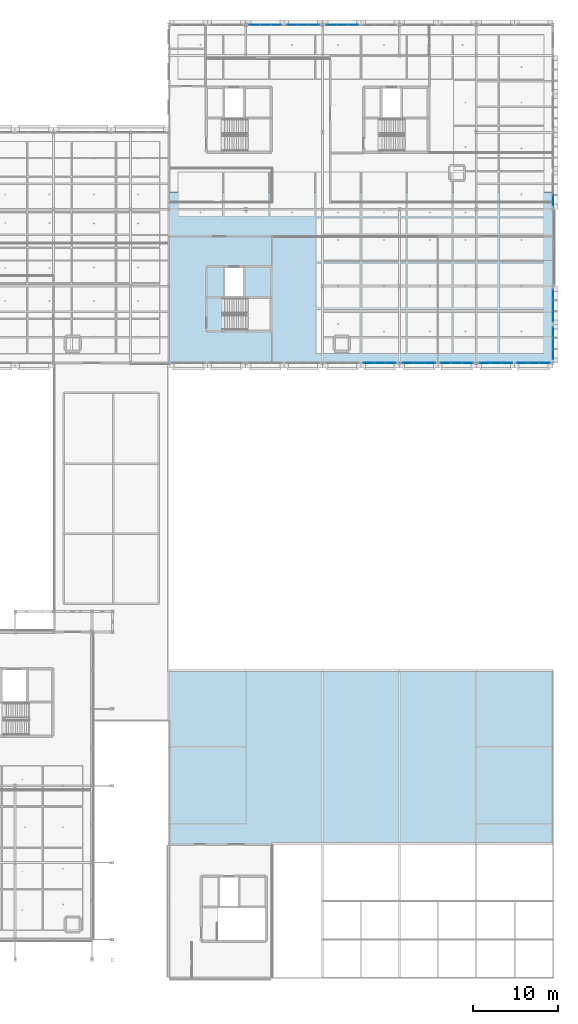
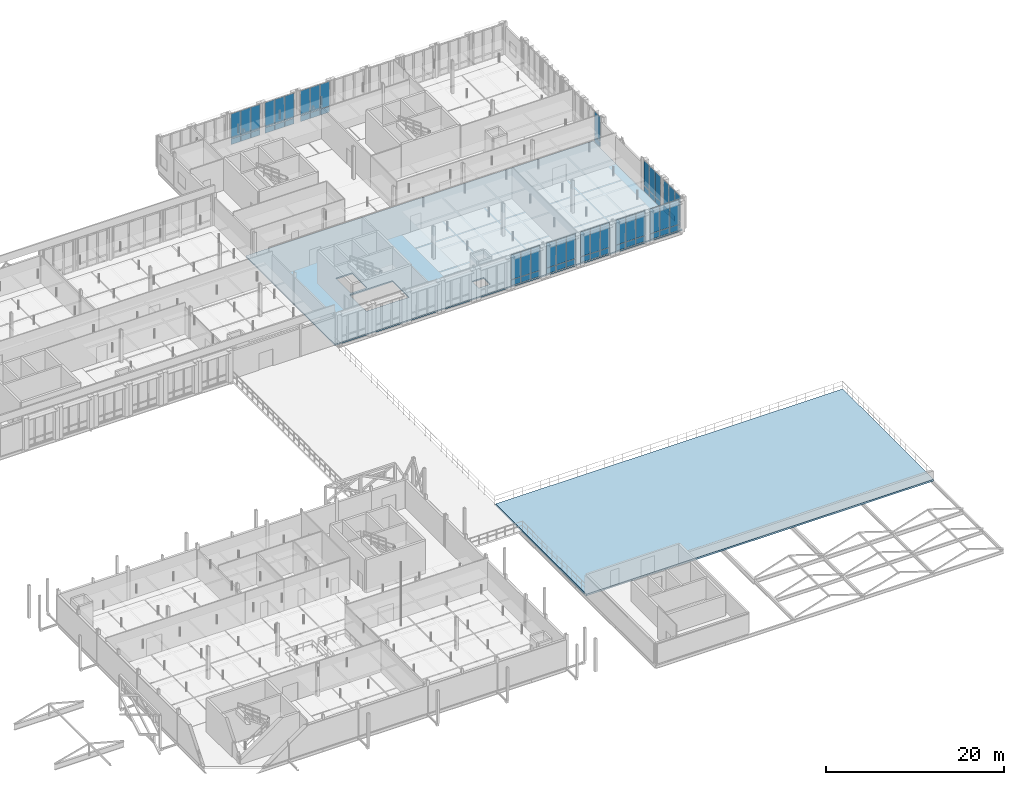
# One storey, part 39 of 89: 62 plates, 2 slabs, 11 elements without a shape of their own.
"""IFC4 building model written with IfcOpenShell, lengths in metres."""

from ifc_helpers import new_model, si_unit, direction, frame, origin, origin_2d, place, context, subcontext, project, spatial, polyline, rectangle, outline, extrude, material, layer, layer_set, type_object, element, aggregate, save


model = new_model("IFC4")

# Units and contexts
model_context = context("Model", 3, precision=1e-05, world=origin(), true_north=direction((0.0, 1.0)))
body_context = subcontext(model_context, "Body", "Model", "MODEL_VIEW")
ifc_project = project(units=[si_unit("LENGTHUNIT", "METRE"), si_unit("AREAUNIT", "SQUARE_METRE"), si_unit("VOLUMEUNIT", "CUBIC_METRE"), si_unit("PLANEANGLEUNIT", "RADIAN"), si_unit("MASSUNIT", "GRAM", prefix="KILO"), si_unit("THERMODYNAMICTEMPERATUREUNIT", "KELVIN"), si_unit("POWERUNIT", "WATT")], contexts=[model_context])

# Site, building, storey
site_placement = place(None, origin())
site = spatial("IfcSite", under=ifc_project, at=site_placement, CompositionType="ELEMENT")
building_placement = place(site_placement, origin())
building = spatial("IfcBuilding", under=site, at=building_placement, Name="Tallowbark Science Centre", CompositionType="ELEMENT")
storey_placement = place(building_placement, frame((0.0, 0.0, 14.39990234375)))
storey = spatial("IfcBuildingStorey", under=building, at=storey_placement, Name="L03", CompositionType="ELEMENT", Elevation=14.39990234375)

# Curtain wall, plates
ifc_material_1 = material(Name="Unitised Thermally Broken Aluminium and Low-E Double Glazing", Category="aluminium")
curtain_wall_type = type_object("IfcCurtainWallType", Name="CW-SYS-FACADE", PredefinedType="NOTDEFINED", material=ifc_material_1)
curtain_wall_1_placement = place(storey_placement, origin())
curtain_wall_1 = element("IfcCurtainWall", 1, at=curtain_wall_1_placement, inside=storey, type_object=curtain_wall_type, Name="Unitised Curtain Wall OBS-N-121A CW-L03-170", PredefinedType="NOTDEFINED")
ifc_material_2 = material(Name="Double Glazed Argon Low-E Vision Glass", Category="glass")
ifc_layer_1 = layer(ifc_material_2, 0.028076171875)
ifc_layer_set_1 = layer_set([ifc_layer_1], Name="Double Glazed Argon Low-E Vision Glass")
plate_type_1 = type_object("IfcPlateType", Name="CWP-GLZ-28", PredefinedType="CURTAIN_PANEL", material=ifc_layer_set_1)
plate_1_placement = place(storey_placement, frame((129.483642578125, 111.60009765625, 0.05517578125), z_axis=(0.0, 0.0, 1.0), x_axis=(-1.0, 0.0, 0.0)))
plate_1 = element("IfcPlate", 2, at=plate_1_placement, type_object=plate_type_1, Name="CW-01 panel 1.1", PredefinedType="CURTAIN_PANEL", context=body_context, shape_type="SweptSolid", body=[
    extrude(rectangle(XDim=1.202392578125, YDim=0.028076171875, at=origin_2d()), origin(), (0.0, 0.0, 1.0), 0.767578125),
])
plate_2_placement = place(storey_placement, frame((129.483642578125, 111.60009765625, 0.87744140625), z_axis=(0.0, 0.0, 1.0), x_axis=(-1.0, 0.0, 0.0)))
plate_2 = element("IfcPlate", 3, at=plate_2_placement, type_object=plate_type_1, Name="CW-01 panel 1.2", PredefinedType="CURTAIN_PANEL", context=body_context, shape_type="SweptSolid", body=[
    extrude(rectangle(XDim=1.202392578125, YDim=0.028076171875, at=origin_2d()), origin(), (0.0, 0.0, 1.0), 3.387451171875),
])
plate_3_placement = place(storey_placement, frame((128.199951171875, 111.60009765625, 0.05517578125), z_axis=(0.0, 0.0, 1.0), x_axis=(-1.0, 0.0, 0.0)))
plate_3 = element("IfcPlate", 4, at=plate_3_placement, type_object=plate_type_1, Name="CW-01 panel 2.1", PredefinedType="CURTAIN_PANEL", context=body_context, shape_type="SweptSolid", body=[
    extrude(rectangle(XDim=1.235107421875, YDim=0.028076171875, at=origin_2d()), origin(), (0.0, 0.0, 1.0), 0.767578125),
])
plate_4_placement = place(storey_placement, frame((128.199951171875, 111.60009765625, 0.87744140625), z_axis=(0.0, 0.0, 1.0), x_axis=(-1.0, 0.0, 0.0)))
plate_4 = element("IfcPlate", 5, at=plate_4_placement, type_object=plate_type_1, Name="CW-01 panel 2.2", PredefinedType="CURTAIN_PANEL", context=body_context, shape_type="SweptSolid", body=[
    extrude(rectangle(XDim=1.235107421875, YDim=0.028076171875, at=origin_2d()), origin(), (0.0, 0.0, 1.0), 3.387451171875),
])
plate_5_placement = place(storey_placement, frame((126.916259765625, 111.60009765625, 0.05517578125), z_axis=(0.0, 0.0, 1.0), x_axis=(-1.0, 0.0, 0.0)))
plate_5 = element("IfcPlate", 6, at=plate_5_placement, type_object=plate_type_1, Name="CW-01 panel 3.1", PredefinedType="CURTAIN_PANEL", context=body_context, shape_type="SweptSolid", body=[
    extrude(rectangle(XDim=1.202392578125, YDim=0.028076171875, at=origin_2d()), origin(), (0.0, 0.0, 1.0), 0.767578125),
])
plate_6_placement = place(storey_placement, frame((126.916259765625, 111.60009765625, 0.87744140625), z_axis=(0.0, 0.0, 1.0), x_axis=(-1.0, 0.0, 0.0)))
plate_6 = element("IfcPlate", 7, at=plate_6_placement, type_object=plate_type_1, Name="CW-01 panel 3.2", PredefinedType="CURTAIN_PANEL", context=body_context, shape_type="SweptSolid", body=[
    extrude(rectangle(XDim=1.202392578125, YDim=0.028076171875, at=origin_2d()), origin(), (0.0, 0.0, 1.0), 3.387451171875),
])
aggregate(curtain_wall_1, [plate_1, plate_2, plate_3, plate_4, plate_5, plate_6])

curtain_wall_2_placement = place(storey_placement, origin())
curtain_wall_2 = element("IfcCurtainWall", 8, at=curtain_wall_2_placement, inside=storey, type_object=curtain_wall_type, Name="Unitised Curtain Wall OBS-S-130B CW-L03-173", PredefinedType="NOTDEFINED")
plate_7_placement = place(storey_placement, frame((135.916259765625, 72.0, 0.05517578125), z_axis=(0.0, 0.0, 1.0), x_axis=(1.0, 0.0, 0.0)))
plate_7 = element("IfcPlate", 9, at=plate_7_placement, type_object=plate_type_1, Name="CW-01 panel 1.1", PredefinedType="CURTAIN_PANEL", context=body_context, shape_type="SweptSolid", body=[
    extrude(rectangle(XDim=1.202392578125, YDim=0.028076171875, at=origin_2d()), origin(), (0.0, 0.0, 1.0), 0.767578125),
])
plate_8_placement = place(storey_placement, frame((135.916259765625, 72.0, 0.87744140625), z_axis=(0.0, 0.0, 1.0), x_axis=(1.0, 0.0, 0.0)))
plate_8 = element("IfcPlate", 10, at=plate_8_placement, type_object=plate_type_1, Name="CW-01 panel 1.2", PredefinedType="CURTAIN_PANEL", context=body_context, shape_type="SweptSolid", body=[
    extrude(rectangle(XDim=1.202392578125, YDim=0.028076171875, at=origin_2d()), origin(), (0.0, 0.0, 1.0), 3.387451171875),
])
plate_9_placement = place(storey_placement, frame((137.199951171875, 72.0, 0.05517578125), z_axis=(0.0, 0.0, 1.0), x_axis=(1.0, 0.0, 0.0)))
plate_9 = element("IfcPlate", 11, at=plate_9_placement, type_object=plate_type_1, Name="CW-01 panel 2.1", PredefinedType="CURTAIN_PANEL", context=body_context, shape_type="SweptSolid", body=[
    extrude(rectangle(XDim=1.235107421875, YDim=0.028076171875, at=origin_2d()), origin(), (0.0, 0.0, 1.0), 0.767578125),
])
plate_10_placement = place(storey_placement, frame((137.199951171875, 72.0, 0.87744140625), z_axis=(0.0, 0.0, 1.0), x_axis=(1.0, 0.0, 0.0)))
plate_10 = element("IfcPlate", 12, at=plate_10_placement, type_object=plate_type_1, Name="CW-01 panel 2.2", PredefinedType="CURTAIN_PANEL", context=body_context, shape_type="SweptSolid", body=[
    extrude(rectangle(XDim=1.235107421875, YDim=0.028076171875, at=origin_2d()), origin(), (0.0, 0.0, 1.0), 3.387451171875),
])
plate_11_placement = place(storey_placement, frame((138.483642578125, 72.0, 0.05517578125), z_axis=(0.0, 0.0, 1.0), x_axis=(1.0, 0.0, 0.0)))
plate_11 = element("IfcPlate", 13, at=plate_11_placement, type_object=plate_type_1, Name="CW-01 panel 3.1", PredefinedType="CURTAIN_PANEL", context=body_context, shape_type="SweptSolid", body=[
    extrude(rectangle(XDim=1.202392578125, YDim=0.028076171875, at=origin_2d()), origin(), (0.0, 0.0, 1.0), 0.767578125),
])
plate_12_placement = place(storey_placement, frame((138.483642578125, 72.0, 0.87744140625), z_axis=(0.0, 0.0, 1.0), x_axis=(1.0, 0.0, 0.0)))
plate_12 = element("IfcPlate", 14, at=plate_12_placement, type_object=plate_type_1, Name="CW-01 panel 3.2", PredefinedType="CURTAIN_PANEL", context=body_context, shape_type="SweptSolid", body=[
    extrude(rectangle(XDim=1.202392578125, YDim=0.028076171875, at=origin_2d()), origin(), (0.0, 0.0, 1.0), 3.387451171875),
])
aggregate(curtain_wall_2, [plate_7, plate_8, plate_9, plate_10, plate_11, plate_12])

curtain_wall_3_placement = place(storey_placement, origin())
curtain_wall_3 = element("IfcCurtainWall", 15, at=curtain_wall_3_placement, inside=storey, type_object=curtain_wall_type, Name="Unitised Curtain Wall OBS-N-130B CW-L03-175", PredefinedType="NOTDEFINED")
plate_13_placement = place(storey_placement, frame((134.083740234375, 111.60009765625, 0.05517578125), z_axis=(0.0, 0.0, 1.0), x_axis=(-1.0, 0.0, 0.0)))
plate_13 = element("IfcPlate", 16, at=plate_13_placement, type_object=plate_type_1, Name="CW-01 panel 1.1", PredefinedType="CURTAIN_PANEL", context=body_context, shape_type="SweptSolid", body=[
    extrude(rectangle(XDim=1.202392578125, YDim=0.028076171875, at=origin_2d()), origin(), (0.0, 0.0, 1.0), 0.767578125),
])
plate_14_placement = place(storey_placement, frame((134.083740234375, 111.60009765625, 0.87744140625), z_axis=(0.0, 0.0, 1.0), x_axis=(-1.0, 0.0, 0.0)))
plate_14 = element("IfcPlate", 17, at=plate_14_placement, type_object=plate_type_1, Name="CW-01 panel 1.2", PredefinedType="CURTAIN_PANEL", context=body_context, shape_type="SweptSolid", body=[
    extrude(rectangle(XDim=1.202392578125, YDim=0.028076171875, at=origin_2d()), origin(), (0.0, 0.0, 1.0), 3.387451171875),
])
plate_15_placement = place(storey_placement, frame((132.800048828125, 111.60009765625, 0.05517578125), z_axis=(0.0, 0.0, 1.0), x_axis=(-1.0, 0.0, 0.0)))
plate_15 = element("IfcPlate", 18, at=plate_15_placement, type_object=plate_type_1, Name="CW-01 panel 2.1", PredefinedType="CURTAIN_PANEL", context=body_context, shape_type="SweptSolid", body=[
    extrude(rectangle(XDim=1.235107421875, YDim=0.028076171875, at=origin_2d()), origin(), (0.0, 0.0, 1.0), 0.767578125),
])
plate_16_placement = place(storey_placement, frame((132.800048828125, 111.60009765625, 0.87744140625), z_axis=(0.0, 0.0, 1.0), x_axis=(-1.0, 0.0, 0.0)))
plate_16 = element("IfcPlate", 19, at=plate_16_placement, type_object=plate_type_1, Name="CW-01 panel 2.2", PredefinedType="CURTAIN_PANEL", context=body_context, shape_type="SweptSolid", body=[
    extrude(rectangle(XDim=1.235107421875, YDim=0.028076171875, at=origin_2d()), origin(), (0.0, 0.0, 1.0), 3.387451171875),
])
plate_17_placement = place(storey_placement, frame((131.516357421875, 111.60009765625, 0.05517578125), z_axis=(0.0, 0.0, 1.0), x_axis=(-1.0, 0.0, 0.0)))
plate_17 = element("IfcPlate", 20, at=plate_17_placement, type_object=plate_type_1, Name="CW-01 panel 3.1", PredefinedType="CURTAIN_PANEL", context=body_context, shape_type="SweptSolid", body=[
    extrude(rectangle(XDim=1.202392578125, YDim=0.028076171875, at=origin_2d()), origin(), (0.0, 0.0, 1.0), 0.767578125),
])
plate_18_placement = place(storey_placement, frame((131.516357421875, 111.60009765625, 0.87744140625), z_axis=(0.0, 0.0, 1.0), x_axis=(-1.0, 0.0, 0.0)))
plate_18 = element("IfcPlate", 21, at=plate_18_placement, type_object=plate_type_1, Name="CW-01 panel 3.2", PredefinedType="CURTAIN_PANEL", context=body_context, shape_type="SweptSolid", body=[
    extrude(rectangle(XDim=1.202392578125, YDim=0.028076171875, at=origin_2d()), origin(), (0.0, 0.0, 1.0), 3.387451171875),
])
aggregate(curtain_wall_3, [plate_13, plate_14, plate_15, plate_16, plate_17, plate_18])

curtain_wall_4_placement = place(storey_placement, origin())
curtain_wall_4 = element("IfcCurtainWall", 22, at=curtain_wall_4_placement, inside=storey, type_object=curtain_wall_type, Name="Unitised Curtain Wall OBS-S-139A CW-L03-176", PredefinedType="NOTDEFINED")
plate_19_placement = place(storey_placement, frame((140.516357421875, 72.0, 0.05517578125), z_axis=(0.0, 0.0, 1.0), x_axis=(1.0, 0.0, 0.0)))
plate_19 = element("IfcPlate", 23, at=plate_19_placement, type_object=plate_type_1, Name="CW-01 panel 1.1", PredefinedType="CURTAIN_PANEL", context=body_context, shape_type="SweptSolid", body=[
    extrude(rectangle(XDim=1.202392578125, YDim=0.028076171875, at=origin_2d()), origin(), (0.0, 0.0, 1.0), 0.767578125),
])
plate_20_placement = place(storey_placement, frame((140.516357421875, 72.0, 0.87744140625), z_axis=(0.0, 0.0, 1.0), x_axis=(1.0, 0.0, 0.0)))
plate_20 = element("IfcPlate", 24, at=plate_20_placement, type_object=plate_type_1, Name="CW-01 panel 1.2", PredefinedType="CURTAIN_PANEL", context=body_context, shape_type="SweptSolid", body=[
    extrude(rectangle(XDim=1.202392578125, YDim=0.028076171875, at=origin_2d()), origin(), (0.0, 0.0, 1.0), 3.387451171875),
])
plate_21_placement = place(storey_placement, frame((141.800048828125, 72.0, 0.05517578125), z_axis=(0.0, 0.0, 1.0), x_axis=(1.0, 0.0, 0.0)))
plate_21 = element("IfcPlate", 25, at=plate_21_placement, type_object=plate_type_1, Name="CW-01 panel 2.1", PredefinedType="CURTAIN_PANEL", context=body_context, shape_type="SweptSolid", body=[
    extrude(rectangle(XDim=1.235107421875, YDim=0.028076171875, at=origin_2d()), origin(), (0.0, 0.0, 1.0), 0.767578125),
])
plate_22_placement = place(storey_placement, frame((141.800048828125, 72.0, 0.87744140625), z_axis=(0.0, 0.0, 1.0), x_axis=(1.0, 0.0, 0.0)))
plate_22 = element("IfcPlate", 26, at=plate_22_placement, type_object=plate_type_1, Name="CW-01 panel 2.2", PredefinedType="CURTAIN_PANEL", context=body_context, shape_type="SweptSolid", body=[
    extrude(rectangle(XDim=1.235107421875, YDim=0.028076171875, at=origin_2d()), origin(), (0.0, 0.0, 1.0), 3.387451171875),
])
plate_23_placement = place(storey_placement, frame((143.083740234375, 72.0, 0.05517578125), z_axis=(0.0, 0.0, 1.0), x_axis=(1.0, 0.0, 0.0)))
plate_23 = element("IfcPlate", 27, at=plate_23_placement, type_object=plate_type_1, Name="CW-01 panel 3.1", PredefinedType="CURTAIN_PANEL", context=body_context, shape_type="SweptSolid", body=[
    extrude(rectangle(XDim=1.202392578125, YDim=0.028076171875, at=origin_2d()), origin(), (0.0, 0.0, 1.0), 0.767578125),
])
plate_24_placement = place(storey_placement, frame((143.083740234375, 72.0, 0.87744140625), z_axis=(0.0, 0.0, 1.0), x_axis=(1.0, 0.0, 0.0)))
plate_24 = element("IfcPlate", 28, at=plate_24_placement, type_object=plate_type_1, Name="CW-01 panel 3.2", PredefinedType="CURTAIN_PANEL", context=body_context, shape_type="SweptSolid", body=[
    extrude(rectangle(XDim=1.202392578125, YDim=0.028076171875, at=origin_2d()), origin(), (0.0, 0.0, 1.0), 3.387451171875),
])
aggregate(curtain_wall_4, [plate_19, plate_20, plate_21, plate_22, plate_23, plate_24])

curtain_wall_5_placement = place(storey_placement, origin())
curtain_wall_5 = element("IfcCurtainWall", 29, at=curtain_wall_5_placement, inside=storey, type_object=curtain_wall_type, Name="Unitised Curtain Wall OBS-S-148B CW-L03-181", PredefinedType="NOTDEFINED")
plate_25_placement = place(storey_placement, frame((153.916259765625, 72.0, 0.05517578125), z_axis=(0.0, 0.0, 1.0), x_axis=(1.0, 0.0, 0.0)))
plate_25 = element("IfcPlate", 30, at=plate_25_placement, type_object=plate_type_1, Name="CW-01 panel 1.1", PredefinedType="CURTAIN_PANEL", context=body_context, shape_type="SweptSolid", body=[
    extrude(rectangle(XDim=1.202392578125, YDim=0.028076171875, at=origin_2d()), origin(), (0.0, 0.0, 1.0), 0.767578125),
])
plate_26_placement = place(storey_placement, frame((153.916259765625, 72.0, 0.87744140625), z_axis=(0.0, 0.0, 1.0), x_axis=(1.0, 0.0, 0.0)))
plate_26 = element("IfcPlate", 31, at=plate_26_placement, type_object=plate_type_1, Name="CW-01 panel 1.2", PredefinedType="CURTAIN_PANEL", context=body_context, shape_type="SweptSolid", body=[
    extrude(rectangle(XDim=1.202392578125, YDim=0.028076171875, at=origin_2d()), origin(), (0.0, 0.0, 1.0), 3.387451171875),
])
plate_27_placement = place(storey_placement, frame((155.199951171875, 72.0, 0.05517578125), z_axis=(0.0, 0.0, 1.0), x_axis=(1.0, 0.0, 0.0)))
plate_27 = element("IfcPlate", 32, at=plate_27_placement, type_object=plate_type_1, Name="CW-01 panel 2.1", PredefinedType="CURTAIN_PANEL", context=body_context, shape_type="SweptSolid", body=[
    extrude(rectangle(XDim=1.235107421875, YDim=0.028076171875, at=origin_2d()), origin(), (0.0, 0.0, 1.0), 0.767578125),
])
plate_28_placement = place(storey_placement, frame((155.199951171875, 72.0, 0.87744140625), z_axis=(0.0, 0.0, 1.0), x_axis=(1.0, 0.0, 0.0)))
plate_28 = element("IfcPlate", 33, at=plate_28_placement, type_object=plate_type_1, Name="CW-01 panel 2.2", PredefinedType="CURTAIN_PANEL", context=body_context, shape_type="SweptSolid", body=[
    extrude(rectangle(XDim=1.235107421875, YDim=0.028076171875, at=origin_2d()), origin(), (0.0, 0.0, 1.0), 3.387451171875),
])
plate_29_placement = place(storey_placement, frame((156.483642578125, 72.0, 0.05517578125), z_axis=(0.0, 0.0, 1.0), x_axis=(1.0, 0.0, 0.0)))
plate_29 = element("IfcPlate", 34, at=plate_29_placement, type_object=plate_type_1, Name="CW-01 panel 3.1", PredefinedType="CURTAIN_PANEL", context=body_context, shape_type="SweptSolid", body=[
    extrude(rectangle(XDim=1.202392578125, YDim=0.028076171875, at=origin_2d()), origin(), (0.0, 0.0, 1.0), 0.767578125),
])
plate_30_placement = place(storey_placement, frame((156.483642578125, 72.0, 0.87744140625), z_axis=(0.0, 0.0, 1.0), x_axis=(1.0, 0.0, 0.0)))
plate_30 = element("IfcPlate", 35, at=plate_30_placement, type_object=plate_type_1, Name="CW-01 panel 3.2", PredefinedType="CURTAIN_PANEL", context=body_context, shape_type="SweptSolid", body=[
    extrude(rectangle(XDim=1.202392578125, YDim=0.028076171875, at=origin_2d()), origin(), (0.0, 0.0, 1.0), 3.387451171875),
])
aggregate(curtain_wall_5, [plate_25, plate_26, plate_27, plate_28, plate_29, plate_30])

curtain_wall_6_placement = place(storey_placement, origin())
curtain_wall_6 = element("IfcCurtainWall", 36, at=curtain_wall_6_placement, inside=storey, type_object=curtain_wall_type, Name="Unitised Curtain Wall OBS-E-72A CW-L03-184", PredefinedType="NOTDEFINED")
plate_31_placement = place(storey_placement, frame((157.5, 73.016357421875, 0.05517578125), z_axis=(0.0, 0.0, 1.0), x_axis=(0.0, 1.0, 0.0)))
plate_31 = element("IfcPlate", 37, at=plate_31_placement, type_object=plate_type_1, Name="CW-01 panel 1.1", PredefinedType="CURTAIN_PANEL", context=body_context, shape_type="SweptSolid", body=[
    extrude(rectangle(XDim=1.202392578125, YDim=0.028076171875, at=origin_2d()), origin(), (0.0, 0.0, 1.0), 0.767578125),
])
plate_32_placement = place(storey_placement, frame((157.5, 73.016357421875, 0.87744140625), z_axis=(0.0, 0.0, 1.0), x_axis=(0.0, 1.0, 0.0)))
plate_32 = element("IfcPlate", 38, at=plate_32_placement, type_object=plate_type_1, Name="CW-01 panel 1.2", PredefinedType="CURTAIN_PANEL", context=body_context, shape_type="SweptSolid", body=[
    extrude(rectangle(XDim=1.202392578125, YDim=0.028076171875, at=origin_2d()), origin(), (0.0, 0.0, 1.0), 3.387451171875),
])
plate_33_placement = place(storey_placement, frame((157.5, 74.300048828125, 0.05517578125), z_axis=(0.0, 0.0, 1.0), x_axis=(0.0, 1.0, 0.0)))
plate_33 = element("IfcPlate", 39, at=plate_33_placement, type_object=plate_type_1, Name="CW-01 panel 2.1", PredefinedType="CURTAIN_PANEL", context=body_context, shape_type="SweptSolid", body=[
    extrude(rectangle(XDim=1.235107421875, YDim=0.028076171875, at=origin_2d()), origin(), (0.0, 0.0, 1.0), 0.767578125),
])
plate_34_placement = place(storey_placement, frame((157.5, 74.300048828125, 0.87744140625), z_axis=(0.0, 0.0, 1.0), x_axis=(0.0, 1.0, 0.0)))
plate_34 = element("IfcPlate", 40, at=plate_34_placement, type_object=plate_type_1, Name="CW-01 panel 2.2", PredefinedType="CURTAIN_PANEL", context=body_context, shape_type="SweptSolid", body=[
    extrude(rectangle(XDim=1.235107421875, YDim=0.028076171875, at=origin_2d()), origin(), (0.0, 0.0, 1.0), 3.387451171875),
])
plate_35_placement = place(storey_placement, frame((157.5, 75.583740234375, 0.05517578125), z_axis=(0.0, 0.0, 1.0), x_axis=(0.0, 1.0, 0.0)))
plate_35 = element("IfcPlate", 41, at=plate_35_placement, type_object=plate_type_1, Name="CW-01 panel 3.1", PredefinedType="CURTAIN_PANEL", context=body_context, shape_type="SweptSolid", body=[
    extrude(rectangle(XDim=1.202392578125, YDim=0.028076171875, at=origin_2d()), origin(), (0.0, 0.0, 1.0), 0.767578125),
])
plate_36_placement = place(storey_placement, frame((157.5, 75.583740234375, 0.87744140625), z_axis=(0.0, 0.0, 1.0), x_axis=(0.0, 1.0, 0.0)))
plate_36 = element("IfcPlate", 42, at=plate_36_placement, type_object=plate_type_1, Name="CW-01 panel 3.2", PredefinedType="CURTAIN_PANEL", context=body_context, shape_type="SweptSolid", body=[
    extrude(rectangle(XDim=1.202392578125, YDim=0.028076171875, at=origin_2d()), origin(), (0.0, 0.0, 1.0), 3.387451171875),
])
aggregate(curtain_wall_6, [plate_31, plate_32, plate_33, plate_34, plate_35, plate_36])

curtain_wall_7_placement = place(storey_placement, origin())
curtain_wall_7 = element("IfcCurtainWall", 43, at=curtain_wall_7_placement, inside=storey, type_object=curtain_wall_type, Name="Unitised Curtain Wall OBS-E-72B CW-L03-185", PredefinedType="NOTDEFINED")
plate_37_placement = place(storey_placement, frame((157.5, 77.416259765625, 0.05517578125), z_axis=(0.0, 0.0, 1.0), x_axis=(0.0, 1.0, 0.0)))
plate_37 = element("IfcPlate", 44, at=plate_37_placement, type_object=plate_type_1, Name="CW-01 panel 1.1", PredefinedType="CURTAIN_PANEL", context=body_context, shape_type="SweptSolid", body=[
    extrude(rectangle(XDim=1.202392578125, YDim=0.028076171875, at=origin_2d()), origin(), (0.0, 0.0, 1.0), 0.767578125),
])
plate_38_placement = place(storey_placement, frame((157.5, 77.416259765625, 0.87744140625), z_axis=(0.0, 0.0, 1.0), x_axis=(0.0, 1.0, 0.0)))
plate_38 = element("IfcPlate", 45, at=plate_38_placement, type_object=plate_type_1, Name="CW-01 panel 1.2", PredefinedType="CURTAIN_PANEL", context=body_context, shape_type="SweptSolid", body=[
    extrude(rectangle(XDim=1.202392578125, YDim=0.028076171875, at=origin_2d()), origin(), (0.0, 0.0, 1.0), 3.387451171875),
])
plate_39_placement = place(storey_placement, frame((157.5, 78.699951171875, 0.05517578125), z_axis=(0.0, 0.0, 1.0), x_axis=(0.0, 1.0, 0.0)))
plate_39 = element("IfcPlate", 46, at=plate_39_placement, type_object=plate_type_1, Name="CW-01 panel 2.1", PredefinedType="CURTAIN_PANEL", context=body_context, shape_type="SweptSolid", body=[
    extrude(rectangle(XDim=1.235107421875, YDim=0.028076171875, at=origin_2d()), origin(), (0.0, 0.0, 1.0), 0.767578125),
])
plate_40_placement = place(storey_placement, frame((157.5, 78.699951171875, 0.87744140625), z_axis=(0.0, 0.0, 1.0), x_axis=(0.0, 1.0, 0.0)))
plate_40 = element("IfcPlate", 47, at=plate_40_placement, type_object=plate_type_1, Name="CW-01 panel 2.2", PredefinedType="CURTAIN_PANEL", context=body_context, shape_type="SweptSolid", body=[
    extrude(rectangle(XDim=1.235107421875, YDim=0.028076171875, at=origin_2d()), origin(), (0.0, 0.0, 1.0), 3.387451171875),
])
plate_41_placement = place(storey_placement, frame((157.5, 79.983642578125, 0.05517578125), z_axis=(0.0, 0.0, 1.0), x_axis=(0.0, 1.0, 0.0)))
plate_41 = element("IfcPlate", 48, at=plate_41_placement, type_object=plate_type_1, Name="CW-01 panel 3.1", PredefinedType="CURTAIN_PANEL", context=body_context, shape_type="SweptSolid", body=[
    extrude(rectangle(XDim=1.202392578125, YDim=0.028076171875, at=origin_2d()), origin(), (0.0, 0.0, 1.0), 0.767578125),
])
plate_42_placement = place(storey_placement, frame((157.5, 79.983642578125, 0.87744140625), z_axis=(0.0, 0.0, 1.0), x_axis=(0.0, 1.0, 0.0)))
plate_42 = element("IfcPlate", 49, at=plate_42_placement, type_object=plate_type_1, Name="CW-01 panel 3.2", PredefinedType="CURTAIN_PANEL", context=body_context, shape_type="SweptSolid", body=[
    extrude(rectangle(XDim=1.202392578125, YDim=0.028076171875, at=origin_2d()), origin(), (0.0, 0.0, 1.0), 3.387451171875),
])
aggregate(curtain_wall_7, [plate_37, plate_38, plate_39, plate_40, plate_41, plate_42])

curtain_wall_8_placement = place(storey_placement, origin())
curtain_wall_8 = element("IfcCurtainWall", 50, at=curtain_wall_8_placement, inside=storey, type_object=curtain_wall_type, Name="Unitised Curtain Wall OBS-N-121B CW-L03-171", PredefinedType="NOTDEFINED")
ifc_material_3 = material(Name="Ceramic-Fritted Insulated Glass Spandrel Panel", Category="glass")
ifc_layer_2 = layer(ifc_material_3, 0.031982421875)
ifc_layer_set_2 = layer_set([ifc_layer_2], Name="Ceramic-Fritted Insulated Glass Spandrel Panel")
plate_type_2 = type_object("IfcPlateType", Name="CWP-SPN-32", PredefinedType="CURTAIN_PANEL", material=ifc_layer_set_2)
plate_43_placement = place(storey_placement, frame((125.083740234375, 111.60009765625, 0.05517578125), z_axis=(0.0, 0.0, 1.0), x_axis=(-1.0, 0.0, 0.0)))
plate_43 = element("IfcPlate", 51, at=plate_43_placement, type_object=plate_type_2, Name="CW-01 panel 1.1", PredefinedType="CURTAIN_PANEL", context=body_context, shape_type="SweptSolid", body=[
    extrude(rectangle(XDim=1.202392578125, YDim=0.031982421875, at=origin_2d()), origin(), (0.0, 0.0, 1.0), 0.767578125),
])
plate_44_placement = place(storey_placement, frame((125.083740234375, 111.60009765625, 0.87744140625), z_axis=(0.0, 0.0, 1.0), x_axis=(-1.0, 0.0, 0.0)))
plate_44 = element("IfcPlate", 52, at=plate_44_placement, type_object=plate_type_2, Name="CW-01 panel 1.2", PredefinedType="CURTAIN_PANEL", context=body_context, shape_type="SweptSolid", body=[
    extrude(rectangle(XDim=1.202392578125, YDim=0.031982421875, at=origin_2d()), origin(), (0.0, 0.0, 1.0), 3.387451171875),
])
plate_45_placement = place(storey_placement, frame((123.800048828125, 111.60009765625, 0.05517578125), z_axis=(0.0, 0.0, 1.0), x_axis=(-1.0, 0.0, 0.0)))
plate_45 = element("IfcPlate", 53, at=plate_45_placement, type_object=plate_type_2, Name="CW-01 panel 2.1", PredefinedType="CURTAIN_PANEL", context=body_context, shape_type="SweptSolid", body=[
    extrude(rectangle(XDim=1.235107421875, YDim=0.031982421875, at=origin_2d()), origin(), (0.0, 0.0, 1.0), 0.767578125),
])
plate_46_placement = place(storey_placement, frame((123.800048828125, 111.60009765625, 0.87744140625), z_axis=(0.0, 0.0, 1.0), x_axis=(-1.0, 0.0, 0.0)))
plate_46 = element("IfcPlate", 54, at=plate_46_placement, type_object=plate_type_2, Name="CW-01 panel 2.2", PredefinedType="CURTAIN_PANEL", context=body_context, shape_type="SweptSolid", body=[
    extrude(rectangle(XDim=1.235107421875, YDim=0.031982421875, at=origin_2d()), origin(), (0.0, 0.0, 1.0), 3.387451171875),
])
plate_47_placement = place(storey_placement, frame((122.516357421875, 111.60009765625, 0.05517578125), z_axis=(0.0, 0.0, 1.0), x_axis=(-1.0, 0.0, 0.0)))
plate_47 = element("IfcPlate", 55, at=plate_47_placement, type_object=plate_type_2, Name="CW-01 panel 3.1", PredefinedType="CURTAIN_PANEL", context=body_context, shape_type="SweptSolid", body=[
    extrude(rectangle(XDim=1.202392578125, YDim=0.031982421875, at=origin_2d()), origin(), (0.0, 0.0, 1.0), 0.767578125),
])
plate_48_placement = place(storey_placement, frame((122.516357421875, 111.60009765625, 0.87744140625), z_axis=(0.0, 0.0, 1.0), x_axis=(-1.0, 0.0, 0.0)))
plate_48 = element("IfcPlate", 56, at=plate_48_placement, type_object=plate_type_2, Name="CW-01 panel 3.2", PredefinedType="CURTAIN_PANEL", context=body_context, shape_type="SweptSolid", body=[
    extrude(rectangle(XDim=1.202392578125, YDim=0.031982421875, at=origin_2d()), origin(), (0.0, 0.0, 1.0), 3.387451171875),
])
aggregate(curtain_wall_8, [plate_43, plate_44, plate_45, plate_46, plate_47, plate_48])

curtain_wall_9_placement = place(storey_placement, origin())
curtain_wall_9 = element("IfcCurtainWall", 57, at=curtain_wall_9_placement, inside=storey, type_object=curtain_wall_type, Name="Unitised Curtain Wall OBS-S-139B CW-L03-177", PredefinedType="NOTDEFINED")
plate_49_placement = place(storey_placement, frame((144.916259765625, 72.0, 0.05517578125), z_axis=(0.0, 0.0, 1.0), x_axis=(1.0, 0.0, 0.0)))
plate_49 = element("IfcPlate", 58, at=plate_49_placement, type_object=plate_type_2, Name="CW-01 panel 1.1", PredefinedType="CURTAIN_PANEL", context=body_context, shape_type="SweptSolid", body=[
    extrude(rectangle(XDim=1.202392578125, YDim=0.031982421875, at=origin_2d()), origin(), (0.0, 0.0, 1.0), 0.767578125),
])
plate_50_placement = place(storey_placement, frame((144.916259765625, 72.0, 0.87744140625), z_axis=(0.0, 0.0, 1.0), x_axis=(1.0, 0.0, 0.0)))
plate_50 = element("IfcPlate", 59, at=plate_50_placement, type_object=plate_type_2, Name="CW-01 panel 1.2", PredefinedType="CURTAIN_PANEL", context=body_context, shape_type="SweptSolid", body=[
    extrude(rectangle(XDim=1.202392578125, YDim=0.031982421875, at=origin_2d()), origin(), (0.0, 0.0, 1.0), 3.387451171875),
])
plate_51_placement = place(storey_placement, frame((146.199951171875, 72.0, 0.05517578125), z_axis=(0.0, 0.0, 1.0), x_axis=(1.0, 0.0, 0.0)))
plate_51 = element("IfcPlate", 60, at=plate_51_placement, type_object=plate_type_2, Name="CW-01 panel 2.1", PredefinedType="CURTAIN_PANEL", context=body_context, shape_type="SweptSolid", body=[
    extrude(rectangle(XDim=1.235107421875, YDim=0.031982421875, at=origin_2d()), origin(), (0.0, 0.0, 1.0), 0.767578125),
])
plate_52_placement = place(storey_placement, frame((146.199951171875, 72.0, 0.87744140625), z_axis=(0.0, 0.0, 1.0), x_axis=(1.0, 0.0, 0.0)))
plate_52 = element("IfcPlate", 61, at=plate_52_placement, type_object=plate_type_2, Name="CW-01 panel 2.2", PredefinedType="CURTAIN_PANEL", context=body_context, shape_type="SweptSolid", body=[
    extrude(rectangle(XDim=1.235107421875, YDim=0.031982421875, at=origin_2d()), origin(), (0.0, 0.0, 1.0), 3.387451171875),
])
plate_53_placement = place(storey_placement, frame((147.483642578125, 72.0, 0.05517578125), z_axis=(0.0, 0.0, 1.0), x_axis=(1.0, 0.0, 0.0)))
plate_53 = element("IfcPlate", 62, at=plate_53_placement, type_object=plate_type_2, Name="CW-01 panel 3.1", PredefinedType="CURTAIN_PANEL", context=body_context, shape_type="SweptSolid", body=[
    extrude(rectangle(XDim=1.202392578125, YDim=0.031982421875, at=origin_2d()), origin(), (0.0, 0.0, 1.0), 0.767578125),
])
plate_54_placement = place(storey_placement, frame((147.483642578125, 72.0, 0.87744140625), z_axis=(0.0, 0.0, 1.0), x_axis=(1.0, 0.0, 0.0)))
plate_54 = element("IfcPlate", 63, at=plate_54_placement, type_object=plate_type_2, Name="CW-01 panel 3.2", PredefinedType="CURTAIN_PANEL", context=body_context, shape_type="SweptSolid", body=[
    extrude(rectangle(XDim=1.202392578125, YDim=0.031982421875, at=origin_2d()), origin(), (0.0, 0.0, 1.0), 3.387451171875),
])
aggregate(curtain_wall_9, [plate_49, plate_50, plate_51, plate_52, plate_53, plate_54])

curtain_wall_10_placement = place(storey_placement, origin())
curtain_wall_10 = element("IfcCurtainWall", 64, at=curtain_wall_10_placement, inside=storey, type_object=curtain_wall_type, Name="Unitised Curtain Wall OBS-S-148A CW-L03-180", PredefinedType="NOTDEFINED")
plate_55_placement = place(storey_placement, frame((149.516357421875, 72.0, 0.05517578125), z_axis=(0.0, 0.0, 1.0), x_axis=(1.0, 0.0, 0.0)))
plate_55 = element("IfcPlate", 65, at=plate_55_placement, type_object=plate_type_2, Name="CW-01 panel 1.1", PredefinedType="CURTAIN_PANEL", context=body_context, shape_type="SweptSolid", body=[
    extrude(rectangle(XDim=1.202392578125, YDim=0.031982421875, at=origin_2d()), origin(), (0.0, 0.0, 1.0), 0.767578125),
])
plate_56_placement = place(storey_placement, frame((149.516357421875, 72.0, 0.87744140625), z_axis=(0.0, 0.0, 1.0), x_axis=(1.0, 0.0, 0.0)))
plate_56 = element("IfcPlate", 66, at=plate_56_placement, type_object=plate_type_2, Name="CW-01 panel 1.2", PredefinedType="CURTAIN_PANEL", context=body_context, shape_type="SweptSolid", body=[
    extrude(rectangle(XDim=1.202392578125, YDim=0.031982421875, at=origin_2d()), origin(), (0.0, 0.0, 1.0), 3.387451171875),
])
plate_57_placement = place(storey_placement, frame((150.800048828125, 72.0, 0.05517578125), z_axis=(0.0, 0.0, 1.0), x_axis=(1.0, 0.0, 0.0)))
plate_57 = element("IfcPlate", 67, at=plate_57_placement, type_object=plate_type_2, Name="CW-01 panel 2.1", PredefinedType="CURTAIN_PANEL", context=body_context, shape_type="SweptSolid", body=[
    extrude(rectangle(XDim=1.235107421875, YDim=0.031982421875, at=origin_2d()), origin(), (0.0, 0.0, 1.0), 0.767578125),
])
plate_58_placement = place(storey_placement, frame((150.800048828125, 72.0, 0.87744140625), z_axis=(0.0, 0.0, 1.0), x_axis=(1.0, 0.0, 0.0)))
plate_58 = element("IfcPlate", 68, at=plate_58_placement, type_object=plate_type_2, Name="CW-01 panel 2.2", PredefinedType="CURTAIN_PANEL", context=body_context, shape_type="SweptSolid", body=[
    extrude(rectangle(XDim=1.235107421875, YDim=0.031982421875, at=origin_2d()), origin(), (0.0, 0.0, 1.0), 3.387451171875),
])
plate_59_placement = place(storey_placement, frame((152.083740234375, 72.0, 0.05517578125), z_axis=(0.0, 0.0, 1.0), x_axis=(1.0, 0.0, 0.0)))
plate_59 = element("IfcPlate", 69, at=plate_59_placement, type_object=plate_type_2, Name="CW-01 panel 3.1", PredefinedType="CURTAIN_PANEL", context=body_context, shape_type="SweptSolid", body=[
    extrude(rectangle(XDim=1.202392578125, YDim=0.031982421875, at=origin_2d()), origin(), (0.0, 0.0, 1.0), 0.767578125),
])
plate_60_placement = place(storey_placement, frame((152.083740234375, 72.0, 0.87744140625), z_axis=(0.0, 0.0, 1.0), x_axis=(1.0, 0.0, 0.0)))
plate_60 = element("IfcPlate", 70, at=plate_60_placement, type_object=plate_type_2, Name="CW-01 panel 3.2", PredefinedType="CURTAIN_PANEL", context=body_context, shape_type="SweptSolid", body=[
    extrude(rectangle(XDim=1.202392578125, YDim=0.031982421875, at=origin_2d()), origin(), (0.0, 0.0, 1.0), 3.387451171875),
])
aggregate(curtain_wall_10, [plate_55, plate_56, plate_57, plate_58, plate_59, plate_60])

curtain_wall_11_placement = place(storey_placement, origin())
curtain_wall_11 = element("IfcCurtainWall", 71, at=curtain_wall_11_placement, inside=storey, type_object=curtain_wall_type, Name="Unitised Curtain Wall OBS-E-90A CW-L03-186", PredefinedType="NOTDEFINED")
plate_61_placement = place(storey_placement, frame((157.5, 91.016357421875, 0.05517578125), z_axis=(0.0, 0.0, 1.0), x_axis=(0.0, 1.0, 0.0)))
plate_61 = element("IfcPlate", 72, at=plate_61_placement, type_object=plate_type_2, Name="CW-01 panel 1.1", PredefinedType="CURTAIN_PANEL", context=body_context, shape_type="SweptSolid", body=[
    extrude(rectangle(XDim=1.202392578125, YDim=0.031982421875, at=origin_2d()), origin(), (0.0, 0.0, 1.0), 0.767578125),
])
plate_62_placement = place(storey_placement, frame((157.5, 91.016357421875, 0.87744140625), z_axis=(0.0, 0.0, 1.0), x_axis=(0.0, 1.0, 0.0)))
plate_62 = element("IfcPlate", 73, at=plate_62_placement, type_object=plate_type_2, Name="CW-01 panel 1.2", PredefinedType="CURTAIN_PANEL", context=body_context, shape_type="SweptSolid", body=[
    extrude(rectangle(XDim=1.202392578125, YDim=0.031982421875, at=origin_2d()), origin(), (0.0, 0.0, 1.0), 3.387451171875),
])
aggregate(curtain_wall_11, [plate_61, plate_62])

# Slabs
ifc_material_4 = material(Name="Concrete Grade N40 (40 MPa)", Category="concrete")
ifc_layer_3 = layer(ifc_material_4, 0.179931640625)
ifc_layer_set_3 = layer_set([ifc_layer_3], Name="Concrete Grade N40 (40 MPa)")
slab_type_1 = type_object("IfcSlabType", Name="SLB-FLR-180", PredefinedType="FLOOR", material=ifc_layer_set_3)
slab_1_placement = place(storey_placement, frame((0.0, 0.0, -0.179931640625)))
element("IfcSlab", 74, at=slab_1_placement, inside=storey, type_object=slab_type_1, Name="Astronomy Wing South Slab L03 SLB-OBS-S-L03", PredefinedType="FLOOR", context=body_context, shape_type="SweptSolid", body=[
    extrude(outline(polyline([(112.52490234375, 72.0), (157.5, 72.0), (157.5, 92.0), (112.52490234375, 92.0), (112.52490234375, 72.0)]), holes=[polyline([(118.81005859375, 75.85009765625), (124.35009765625, 75.85009765625), (124.35009765625, 79.570068359375), (118.81005859375, 79.570068359375), (118.81005859375, 75.85009765625)]), polyline([(119.10009765625, 79.820068359375), (121.199951171875, 79.820068359375), (121.199951171875, 83.14990234375), (119.10009765625, 83.14990234375), (119.10009765625, 79.820068359375)]), polyline([(132.0, 73.5), (133.5, 73.5), (133.5, 75.0), (132.0, 75.0), (132.0, 73.5)])]), origin(), (0.0, 0.0, 1.0), 0.179931640625),
])
ifc_layer_4 = layer(ifc_material_4, 0.239990234375)
ifc_layer_set_4 = layer_set([ifc_layer_4], Name="Concrete Grade N40 (40 MPa)")
slab_type_2 = type_object("IfcSlabType", Name="SLB-GND-240", PredefinedType="FLOOR", material=ifc_layer_set_4)
slab_2_placement = place(storey_placement, frame((0.0, 0.0, -0.239990234375)))
element("IfcSlab", 75, at=slab_2_placement, inside=storey, type_object=slab_type_2, Name="Theatre L03 Planted Roof Garden Terrace SLB-THT-RG-L03", PredefinedType="FLOOR", context=body_context, shape_type="SweptSolid", body=[
    extrude(outline(polyline([(112.52490234375, 15.60009765625), (157.5, 15.60009765625), (157.5, 36.0), (112.52490234375, 36.0), (112.52490234375, 15.60009765625)])), origin(), (0.0, 0.0, 1.0), 0.239990234375),
])

save(model, "model.ifc")
